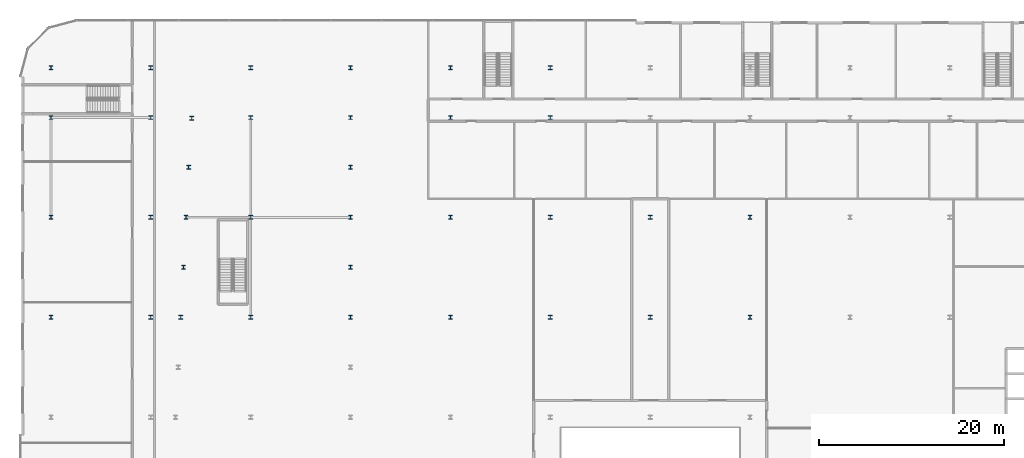
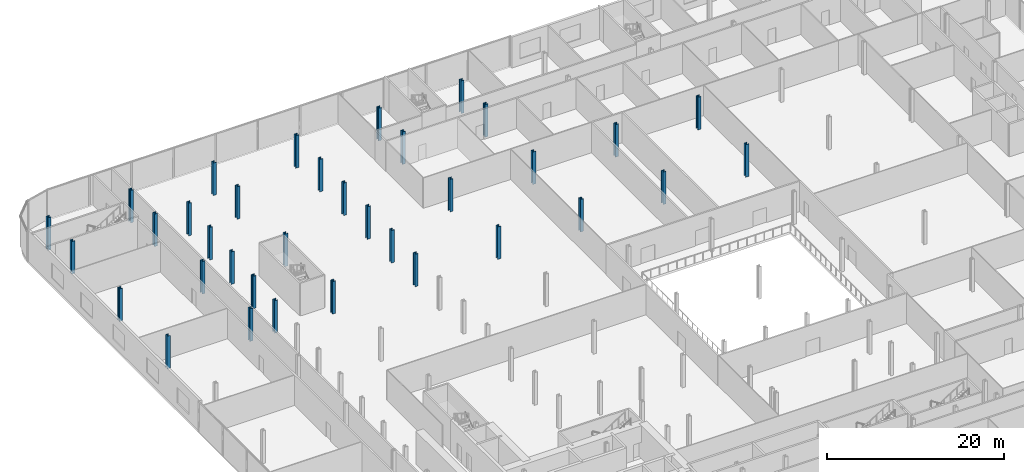
# One storey, part 4 of 47: 35 columns.
"""IFC4 building model written with IfcOpenShell, lengths in metres."""

import ifcopenshell
import ifcopenshell.guid

model = None  # the IFC model being written
_history = None  # IfcOwnerHistory: only IFC2X3 demands one
_inside = {}  # id of a spatial element -> (the spatial element, [elements in it])
_under = {}  # id of a project, library or spatial element -> (it, [spatial elements below it])
_declared = {}  # id of a project -> (the project, [libraries it declares])
_typed = {}  # id of a type object -> (the type object, [elements of that type])
_made_of = {}  # id of a material, layer set ... -> (it, [elements and type objects made of it])


def new_model(schema):
    """Start an empty IFC model of exactly this schema.

    Asked for "IFC4X3", IfcOpenShell would pick the latest addendum, in which some entities
    have other attributes; the version numbers below select the first issue.
    IFC2X3 requires an IfcOwnerHistory on every rooted entity: one is made here for all.
    """
    global model, _history
    if schema == "IFC4X3":
        model = ifcopenshell.file(schema_version=(4, 3, 0, 0))
    else:
        model = ifcopenshell.file(schema=schema)
    _inside.clear()
    _under.clear()
    _declared.clear()
    _typed.clear()
    _made_of.clear()
    _history = None
    if model.schema == "IFC2X3":
        org = make("IfcOrganization", Name="unknown")
        user = make(
            "IfcPersonAndOrganization",
            ThePerson=make("IfcPerson", FamilyName="unknown"),
            TheOrganization=org,
        )
        app = make(
            "IfcApplication",
            ApplicationDeveloper=org,
            Version="unknown",
            ApplicationFullName="unknown",
            ApplicationIdentifier="unknown",
        )
        _history = make(
            "IfcOwnerHistory",
            OwningUser=user,
            OwningApplication=app,
            ChangeAction="ADDED",
            CreationDate=0,
        )
    return model


def make(cls, **values):
    """One entity of the class cls with the attributes given. An attribute that is None is left unset."""
    return model.create_entity(
        cls, **{name: value for name, value in values.items() if value is not None}
    )


def rooted(cls, **values):
    """An entity with a GlobalId (a new one), such as an element, a storey or a relation."""
    return make(cls, GlobalId=ifcopenshell.guid.new(), OwnerHistory=_history, **values)


def si_unit(unit_type, name, prefix=None):
    """IfcSIUnit, for example si_unit("LENGTHUNIT", "METRE", prefix="MILLI")."""
    return make("IfcSIUnit", UnitType=unit_type, Prefix=prefix, Name=name)


def assignment(units):
    """IfcUnitAssignment: the units of a project."""
    return None if units is None else make("IfcUnitAssignment", Units=units)


def point(xyz):
    """IfcCartesianPoint."""
    return None if xyz is None else make("IfcCartesianPoint", Coordinates=xyz)


def direction(xyz):
    """IfcDirection."""
    return None if xyz is None else make("IfcDirection", DirectionRatios=xyz)


def frame(location, z_axis=None, x_axis=None):
    """IfcAxis2Placement3D, a coordinate frame: its origin and axes. An axis left out is left unset."""
    return make(
        "IfcAxis2Placement3D",
        Location=point(location),
        Axis=direction(z_axis),
        RefDirection=direction(x_axis),
    )


def frame_2d(location, x_axis=None):
    """IfcAxis2Placement2D, a coordinate frame in the plane: its origin and x axis."""
    return make(
        "IfcAxis2Placement2D", Location=point(location), RefDirection=direction(x_axis)
    )


def origin():
    """The frame at (0, 0, 0) with its axes left unset."""
    return frame((0.0, 0.0, 0.0))


def origin_2d():
    """The frame at (0, 0) in the plane with its x axis left unset."""
    return frame_2d((0.0, 0.0))


def place(relative_to, where):
    """IfcLocalPlacement: puts the frame where relative to a parent placement (None: the world)."""
    return make(
        "IfcLocalPlacement", PlacementRelTo=relative_to, RelativePlacement=where
    )


def context(
    kind, dimensions, precision=None, world=None, true_north=None, identifier=None
):
    """IfcGeometricRepresentationContext, for example the 3D "Model" context."""
    return make(
        "IfcGeometricRepresentationContext",
        ContextIdentifier=identifier,
        ContextType=kind,
        CoordinateSpaceDimension=dimensions,
        Precision=precision,
        WorldCoordinateSystem=world,
        TrueNorth=true_north,
    )


def subcontext(parent, identifier, kind, view, scale=None):
    """IfcGeometricRepresentationSubContext, for example "Body" below "Model"."""
    return make(
        "IfcGeometricRepresentationSubContext",
        ContextIdentifier=identifier,
        ContextType=kind,
        ParentContext=parent,
        TargetScale=scale,
        TargetView=view,
    )


def project(units=None, contexts=None):
    """IfcProject with its units and contexts."""
    return rooted(
        "IfcProject",
        Name="project",
        RepresentationContexts=contexts,
        UnitsInContext=assignment(units),
    )


def spatial(cls, under=None, at=None, **own):
    """A site, building, storey or space (cls), placed at a placement, below another one or the project."""
    s = rooted(cls, ObjectPlacement=at, **own)
    if under is not None:
        _under.setdefault(under.id(), (under, []))[1].append(s)
    return s


def profile(cls, at=None, kind="AREA", **sizes):
    """A parametric profile (cls). Its sizes go by their IFC names, for example OverallWidth=200.0."""
    return make(cls, ProfileType=kind, Position=at, **sizes)


def i_section(**sizes):
    """IfcIShapeProfileDef."""
    return profile("IfcIShapeProfileDef", **sizes)


def extrude(swept, where, along, depth):
    """IfcExtrudedAreaSolid: the profile swept, set in the frame where, extruded along a direction by depth."""
    return make(
        "IfcExtrudedAreaSolid",
        SweptArea=swept,
        Position=where,
        ExtrudedDirection=direction(along),
        Depth=depth,
    )


def shape(context_of_items, identifier, shape_type, items):
    """IfcShapeRepresentation: the items that make up one representation, for example the "Body"."""
    return make(
        "IfcShapeRepresentation",
        ContextOfItems=context_of_items,
        RepresentationIdentifier=identifier,
        RepresentationType=shape_type,
        Items=items,
    )


def material(Name=None, Category=None):
    """IfcMaterial."""
    return make("IfcMaterial", Name=Name, Category=Category)


def material_profile(
    of_material, cross_section, Name=None, Category=None, Priority=None
):
    """IfcMaterialProfile: a cross section and its material."""
    return make(
        "IfcMaterialProfile",
        Name=Name,
        Material=of_material,
        Profile=cross_section,
        Priority=Priority,
        Category=Category,
    )


def profile_set(profiles, Name=None, composite=None):
    """IfcMaterialProfileSet."""
    return make(
        "IfcMaterialProfileSet",
        Name=Name,
        MaterialProfiles=profiles,
        CompositeProfile=composite,
    )


def made_of(thing, what):
    """Note that an element or type object is made of a material, layer set ...; save() writes the relation."""
    if what is not None:
        _made_of.setdefault(what.id(), (what, []))[1].append(thing)
    return thing


def type_object(cls, material=None, **own):
    """A type object (cls), such as IfcWallType, which elements share."""
    return made_of(rooted(cls, **own), material)


def element(
    cls,
    number,
    at=None,
    inside=None,
    cuts=None,
    type_object=None,
    material=None,
    context=None,
    identifier="Body",
    shape_type=None,
    held_by="IfcProductDefinitionShape",
    body=None,
    shapes=None,
    **own,
):
    """One element of the class cls, such as IfcWall. Its Tag is "e" and its number.

    at: its placement. inside: the storey or other place that contains it. cuts: it is an
    opening in that element (IfcRelVoidsElement). A single representation is given by context,
    identifier, shape_type and body (its items); several are given by shapes. held_by: the class
    of the entity that holds the representations. save() writes the other relations.
    """
    e = rooted(cls, Tag="e%d" % number, ObjectPlacement=at, **own)
    if body is not None:
        shapes = [shape(context, identifier, shape_type, body)]
    if shapes is not None:
        e.Representation = make(held_by, Representations=shapes)
    if inside is not None:
        _inside.setdefault(inside.id(), (inside, []))[1].append(e)
    if cuts is not None:
        rooted(
            "IfcRelVoidsElement", RelatingBuildingElement=cuts, RelatedOpeningElement=e
        )
    if type_object is not None:
        _typed.setdefault(type_object.id(), (type_object, []))[1].append(e)
    return made_of(e, material)


def aggregate(whole, parts):
    """IfcRelAggregates: a whole, such as a stair, and the parts it consists of."""
    return rooted("IfcRelAggregates", RelatingObject=whole, RelatedObjects=parts)


def save(model, path):
    """Write the relations noted so far, then the file.

    IfcRelAggregates (storeys below a building ...), IfcRelContainedInSpatialStructure (elements
    in a storey), IfcRelDefinesByType, IfcRelAssociatesMaterial and IfcRelDeclares: one each for
    every whole, place, type object, material and project.
    """
    for whole, parts in _under.values():
        aggregate(whole, parts)
    for where, things in _inside.values():
        rooted(
            "IfcRelContainedInSpatialStructure",
            RelatedElements=things,
            RelatingStructure=where,
        )
    for kind, things in _typed.values():
        rooted("IfcRelDefinesByType", RelatedObjects=things, RelatingType=kind)
    for what, things in _made_of.values():
        rooted("IfcRelAssociatesMaterial", RelatedObjects=things, RelatingMaterial=what)
    for by, libraries in _declared.values():
        rooted("IfcRelDeclares", RelatingContext=by, RelatedDefinitions=libraries)
    model.write(path)


model = new_model("IFC4")

# Units and contexts
model_context = context("Model", 3, precision=1e-05, world=origin(), true_north=direction((0.0, 1.0)))
body_context = subcontext(model_context, "Body", "Model", "MODEL_VIEW")
ifc_project = project(units=[si_unit("LENGTHUNIT", "METRE"), si_unit("AREAUNIT", "SQUARE_METRE"), si_unit("VOLUMEUNIT", "CUBIC_METRE"), si_unit("PLANEANGLEUNIT", "RADIAN"), si_unit("MASSUNIT", "GRAM", prefix="KILO")], contexts=[model_context])

# Site, building, storey
site_placement = place(None, origin())
site = spatial("IfcSite", under=ifc_project, at=site_placement, CompositionType="ELEMENT")
building_placement = place(site_placement, origin())
building = spatial("IfcBuilding", under=site, at=building_placement, Name="Kheshtan School and Residences Tower", CompositionType="ELEMENT")
storey_placement = place(building_placement, frame((0.0, 0.0, 21.5)))
storey = spatial("IfcBuildingStorey", under=building, at=storey_placement, Name="L04", CompositionType="ELEMENT", Elevation=21.5)

# Columns
ifc_material = material(Name="Steel ASTM A992 Grade 50", Category="steel")
ifc_material_profile = material_profile(ifc_material, i_section(OverallWidth=0.408935546875, OverallDepth=0.425048828125, WebThickness=0.03271484375, FlangeThickness=0.052490234375, FilletRadius=0.0126953125, at=origin_2d()), Name="W360x421")
ifc_profile_set = profile_set([ifc_material_profile], Name="Steel ASTM A992 Grade 50")
column_type = type_object("IfcColumnType", Name="Column PC2 W360x421 ASTM A992 Grade 50", PredefinedType="COLUMN", material=ifc_profile_set)
for number, where, z_axis, x_axis, name in (
    (1, (15.199951171875, 78.0, 0.0), (0.0, 0.0, 1.0), (1.0, 0.0, 0.0), "Column P-073"),
    (2, (26.0, 78.0, 0.0), (0.0, 0.0, 1.0), (1.0, 0.0, 0.0), "Column P-074"),
    (3, (36.800048828125, 78.0, 0.0), (0.0, 0.0, 1.0), (1.0, 0.0, 0.0), "Column P-075"),
    (4, (47.60009765625, 78.0, 0.0), (0.0, 0.0, 1.0), (1.0, 0.0, 0.0), "Column P-076"),
    (5, (58.39990234375, 78.0, 0.0), (0.0, 0.0, 1.0), (1.0, 0.0, 0.0), "Column P-077"),
    (6, (69.199951171875, 78.0, 0.0), (0.0, 0.0, 1.0), (1.0, 0.0, 0.0), "Column P-078"),
    (7, (80.0, 78.0, 0.0), (0.0, 0.0, 1.0), (1.0, 0.0, 0.0), "Column P-079"),
    (8, (90.800048828125, 78.0, 0.0), (0.0, 0.0, 1.0), (1.0, 0.0, 0.0), "Column P-080"),
    (9, (15.199951171875, 88.800048828125, 0.0), (0.0, 0.0, 1.0), (1.0, 0.0, 0.0), "Column P-085"),
    (10, (26.0, 88.800048828125, 0.0), (0.0, 0.0, 1.0), (1.0, 0.0, 0.0), "Column P-086"),
    (11, (36.800048828125, 88.800048828125, 0.0), (0.0, 0.0, 1.0), (1.0, 0.0, 0.0), "Column P-087"),
    (12, (47.60009765625, 88.800048828125, 0.0), (0.0, 0.0, 1.0), (1.0, 0.0, 0.0), "Column P-088"),
    (13, (58.39990234375, 88.800048828125, 0.0), (0.0, 0.0, 1.0), (1.0, 0.0, 0.0), "Column P-089"),
    (14, (69.199951171875, 88.800048828125, 0.0), (0.0, 0.0, 1.0), (1.0, 0.0, 0.0), "Column P-090"),
    (15, (80.0, 88.800048828125, 0.0), (0.0, 0.0, 1.0), (1.0, 0.0, 0.0), "Column P-091"),
    (16, (90.800048828125, 88.800048828125, 0.0), (0.0, 0.0, 1.0), (1.0, 0.0, 0.0), "Column P-092"),
    (17, (15.199951171875, 99.60009765625, 0.0), (0.0, 0.0, 1.0), (1.0, 0.0, 0.0), "Column P-097"),
    (18, (26.0, 99.60009765625, 0.0), (0.0, 0.0, 1.0), (1.0, 0.0, 0.0), "Column P-098"),
    (19, (36.800048828125, 99.60009765625, 0.0), (0.0, 0.0, 1.0), (1.0, 0.0, 0.0), "Column P-099"),
    (20, (47.60009765625, 99.60009765625, 0.0), (0.0, 0.0, 1.0), (1.0, 0.0, 0.0), "Column P-100"),
    (21, (58.39990234375, 99.60009765625, 0.0), (0.0, 0.0, 1.0), (1.0, 0.0, 0.0), "Column P-101"),
    (22, (69.199951171875, 99.60009765625, 0.0), (0.0, 0.0, 1.0), (1.0, 0.0, 0.0), "Column P-102"),
    (23, (15.199951171875, 105.0, 0.0), (0.0, 0.0, 1.0), (1.0, 0.0, 0.0), "Column P-109"),
    (24, (26.0, 105.0, 0.0), (0.0, 0.0, 1.0), (1.0, 0.0, 0.0), "Column P-110"),
    (25, (36.800048828125, 105.0, 0.0), (0.0, 0.0, 1.0), (1.0, 0.0, 0.0), "Column P-111"),
    (26, (47.60009765625, 105.0, 0.0), (0.0, 0.0, 1.0), (1.0, 0.0, 0.0), "Column P-112"),
    (27, (58.39990234375, 105.0, 0.0), (0.0, 0.0, 1.0), (1.0, 0.0, 0.0), "Column P-113"),
    (28, (69.199951171875, 105.0, 0.0), (0.0, 0.0, 1.0), (1.0, 0.0, 0.0), "Column P-114"),
    (29, (29.239990234375, 78.0, 0.0), (0.0, 0.0, 1.0), (1.0, 0.0, 0.0), "Transfer column X28"),
    (30, (29.530029296875, 83.39990234375, 0.0), (0.0, 0.0, 1.0), (1.0, 0.0, 0.0), "Transfer column X29"),
    (31, (47.60009765625, 83.39990234375, 0.0), (0.0, 0.0, 1.0), (1.0, 0.0, 0.0), "Transfer column X30"),
    (32, (29.81005859375, 88.800048828125, 0.0), (0.0, 0.0, 1.0), (1.0, 0.0, 0.0), "Transfer column X31"),
    (33, (30.090087890625, 94.199951171875, 0.0), (0.0, 0.0, 1.0), (1.0, 0.0, 0.0), "Transfer column X32"),
    (34, (47.60009765625, 94.199951171875, 0.0), (0.0, 0.0, 1.0), (1.0, 0.0, 0.0), "Transfer column X33"),
    (35, (30.419921875, 99.510009765625, 0.0), (0.0, 0.0, 1.0), (1.0, 0.0, 0.0), "Transfer column X34"),
):
    element("IfcColumn", number, at=place(storey_placement, frame(where, z_axis=z_axis, x_axis=x_axis)), inside=storey, type_object=column_type, Name=name, PredefinedType="COLUMN", context=body_context, shape_type="SweptSolid", body=[
        extrude(i_section(OverallWidth=0.408935546875, OverallDepth=0.425048828125, WebThickness=0.03271484375, FlangeThickness=0.052490234375, FilletRadius=0.0126953125, at=origin_2d()), origin(), (0.0, 0.0, 1.0), 4.5),
    ])

save(model, "model.ifc")
